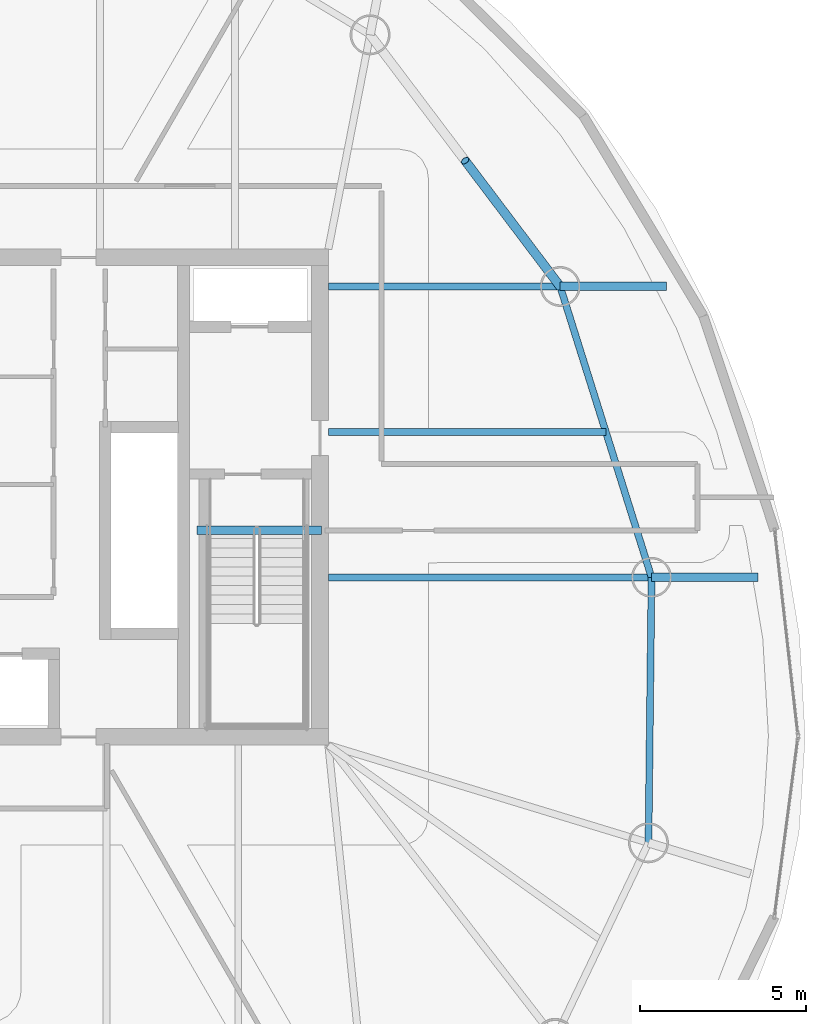
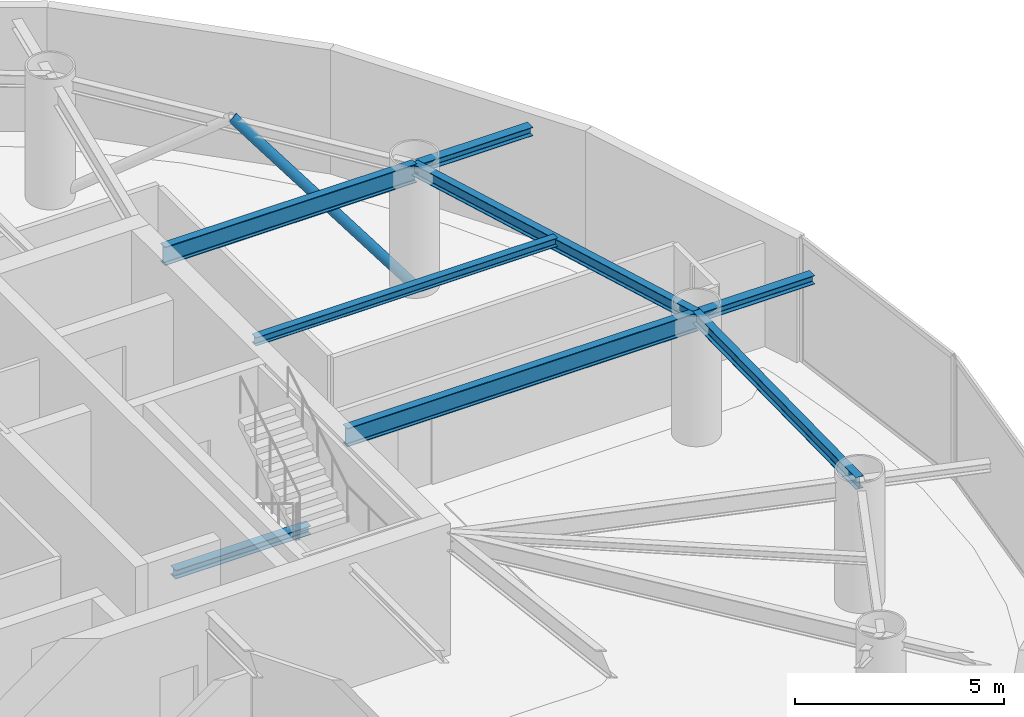
# One storey, part 8 of 20: 8 beams, 1 member.
"""IFC4 building model written with IfcOpenShell, lengths in metres."""

from ifc_helpers import new_model, si_unit, direction, frame, origin, origin_2d, place, context, subcontext, project, spatial, hollow_circle, i_section, extrude, material, material_profile, profile_set, type_object, element, save


model = new_model("IFC4")

# Units and contexts
model_context = context("Model", 3, precision=1e-05, world=origin(), true_north=direction((0.0, 1.0)))
body_context = subcontext(model_context, "Body", "Model", "MODEL_VIEW")
ifc_project = project(units=[si_unit("LENGTHUNIT", "METRE"), si_unit("AREAUNIT", "SQUARE_METRE"), si_unit("VOLUMEUNIT", "CUBIC_METRE"), si_unit("PLANEANGLEUNIT", "RADIAN"), si_unit("MASSUNIT", "GRAM", prefix="KILO")], contexts=[model_context])

# Site, building, storey
site_placement = place(None, origin())
site = spatial("IfcSite", under=ifc_project, at=site_placement, CompositionType="ELEMENT")
building_placement = place(site_placement, origin())
building = spatial("IfcBuilding", under=site, at=building_placement, Name="Bramvorn Convention Spire", CompositionType="ELEMENT")
storey_placement = place(building_placement, frame((0.0, 0.0, 178.89990234375)))
storey = spatial("IfcBuildingStorey", under=building, at=storey_placement, Name="L45", CompositionType="ELEMENT", Elevation=178.89990234375)

# Beams
ifc_material = material(Name="Steel CSA G40.21 Grade 350 (350W)", Category="steel")
ifc_material_profile_1 = material_profile(ifc_material, i_section(OverallWidth=0.201904296875, OverallDepth=0.2470703125, WebThickness=0.00732421875, FlangeThickness=0.010986328125, FilletRadius=0.011962890625, at=origin_2d()))
ifc_profile_set_1 = profile_set([ifc_material_profile_1], Name="Steel CSA G40.21 Grade 350 (350W) - W250X49")
beam_type_1 = type_object("IfcBeamType", Name="BM-W250X49", PredefinedType="JOIST", material=ifc_profile_set_1)
beam_1_placement = place(storey_placement, frame((49.25, 27.960205078125, 3.49658203125), z_axis=(1.0, 0.0, 0.0), x_axis=(0.0, 1.0, 0.0)))
element("IfcBeam", 1, at=beam_1_placement, inside=storey, type_object=beam_type_1, Name="L45 composite floor joist 03", PredefinedType="JOIST", context=body_context, shape_type="SweptSolid", body=[
    extrude(i_section(OverallWidth=0.201904296875, OverallDepth=0.2470703125, WebThickness=0.00732421875, FlangeThickness=0.010986328125, FilletRadius=0.011962890625, at=origin_2d()), origin(), (0.0, 0.0, 1.0), 8.33251953125),
])
ifc_material_profile_2 = material_profile(ifc_material, i_section(OverallWidth=0.25390625, OverallDepth=0.2529296875, WebThickness=0.008544921875, FlangeThickness=0.01416015625, FilletRadius=0.011962890625, at=origin_2d()))
ifc_profile_set_2 = profile_set([ifc_material_profile_2], Name="Steel CSA G40.21 Grade 350 (350W) - W250X73")
beam_type_2 = type_object("IfcBeamType", Name="BM-W250X73", PredefinedType="BEAM", material=ifc_profile_set_2)
beam_2_placement = place(storey_placement, frame((58.95458984375, 23.593505859375, 3.45849609375), z_axis=(1.0, 0.0, 0.0), x_axis=(0.0, 1.0, 0.0)))
element("IfcBeam", 2, at=beam_2_placement, inside=storey, type_object=beam_type_2, Name="L45 slab-edge cantilever tip beam MC03", PredefinedType="BEAM", context=body_context, shape_type="SweptSolid", body=[
    extrude(i_section(OverallWidth=0.25390625, OverallDepth=0.2529296875, WebThickness=0.008544921875, FlangeThickness=0.01416015625, FilletRadius=0.011962890625, at=origin_2d()), origin(), (0.0, 0.0, 1.0), 3.2001953125),
])
beam_3_placement = place(storey_placement, frame((56.21044921875, 32.327392578125, 3.45849609375), z_axis=(1.0, 0.0, 0.0), x_axis=(0.0, 1.0, 0.0)))
element("IfcBeam", 3, at=beam_3_placement, inside=storey, type_object=beam_type_2, Name="L45 slab-edge cantilever tip beam MC04", PredefinedType="BEAM", context=body_context, shape_type="SweptSolid", body=[
    extrude(i_section(OverallWidth=0.25390625, OverallDepth=0.2529296875, WebThickness=0.008544921875, FlangeThickness=0.01416015625, FilletRadius=0.011962890625, at=origin_2d()), origin(), (0.0, 0.0, 1.0), 3.199951171875),
])
beam_4_placement = place(storey_placement, frame((45.31005859375, 25.010009765625, -0.12646484375), z_axis=(1.0, 0.0, 0.0), x_axis=(0.0, 1.0, 0.0)))
element("IfcBeam", 4, at=beam_4_placement, inside=storey, type_object=beam_type_2, Name="L45 ST2 stair arrival header beam", PredefinedType="BEAM", context=body_context, shape_type="SweptSolid", body=[
    extrude(i_section(OverallWidth=0.25390625, OverallDepth=0.2529296875, WebThickness=0.008544921875, FlangeThickness=0.01416015625, FilletRadius=0.011962890625, at=origin_2d()), origin(), (0.0, 0.0, 1.0), 3.739990234375),
])
ifc_material_profile_3 = material_profile(ifc_material, i_section(OverallWidth=0.205078125, OverallDepth=0.35400390625, WebThickness=0.009521484375, FlangeThickness=0.016845703125, FilletRadius=0.014892578125, at=origin_2d()))
ifc_profile_set_3 = profile_set([ifc_material_profile_3], Name="Steel CSA G40.21 Grade 350 (350W) - W360X79")
beam_type_3 = type_object("IfcBeamType", Name="BM-W360X79", PredefinedType="JOIST", material=ifc_profile_set_3)
beam_5_placement = place(storey_placement, frame((58.863037109375, 15.619384765625, 3.443115234375), z_axis=(0.011480475367, 0.999934097171, 0.0), x_axis=(-0.999934097171, 0.011480475367, 0.0)))
element("IfcBeam", 5, at=beam_5_placement, inside=storey, type_object=beam_type_3, Name="L45 mega-column ring beam 02", PredefinedType="JOIST", context=body_context, shape_type="SweptSolid", body=[
    extrude(i_section(OverallWidth=0.205078125, OverallDepth=0.35400390625, WebThickness=0.009521484375, FlangeThickness=0.016845703125, FilletRadius=0.014892578125, at=origin_2d()), origin(), (0.0, 0.0, 1.0), 7.974609375),
])
beam_6_placement = place(storey_placement, frame((58.95458984375, 23.593505859375, 3.443115234375), z_axis=(-0.299747542929, 0.954018558786, 0.0), x_axis=(-0.954018558786, -0.299747542929, 0.0)))
element("IfcBeam", 6, at=beam_6_placement, inside=storey, type_object=beam_type_3, Name="L45 mega-column ring beam 03", PredefinedType="JOIST", context=body_context, shape_type="SweptSolid", body=[
    extrude(i_section(OverallWidth=0.205078125, OverallDepth=0.35400390625, WebThickness=0.009521484375, FlangeThickness=0.016845703125, FilletRadius=0.014892578125, at=origin_2d()), origin(), (0.0, 0.0, 1.0), 9.15478515625),
])
ifc_material_profile_4 = material_profile(ifc_material, i_section(OverallWidth=0.2119140625, OverallDepth=0.5439453125, WebThickness=0.01318359375, FlangeThickness=0.021240234375, FilletRadius=0.01904296875, at=origin_2d()))
ifc_profile_set_4 = profile_set([ifc_material_profile_4], Name="Steel CSA G40.21 Grade 350 (350W) - W530X123")
beam_type_4 = type_object("IfcBeamType", Name="BM-W530X123", PredefinedType="BEAM", material=ifc_profile_set_4)
beam_7_placement = place(storey_placement, frame((49.25, 23.593505859375, 3.34814453125), z_axis=(1.0, 0.0, 0.0), x_axis=(0.0, 1.0, 0.0)))
element("IfcBeam", 7, at=beam_7_placement, inside=storey, type_object=beam_type_4, Name="L45 radial floor girder MC03", PredefinedType="BEAM", context=body_context, shape_type="SweptSolid", body=[
    extrude(i_section(OverallWidth=0.2119140625, OverallDepth=0.5439453125, WebThickness=0.01318359375, FlangeThickness=0.021240234375, FilletRadius=0.01904296875, at=origin_2d()), origin(), (0.0, 0.0, 1.0), 9.70458984375),
])
beam_8_placement = place(storey_placement, frame((49.25, 32.327392578125, 3.34814453125), z_axis=(1.0, 0.0, 0.0), x_axis=(0.0, 1.0, 0.0)))
element("IfcBeam", 8, at=beam_8_placement, inside=storey, type_object=beam_type_4, Name="L45 radial floor girder MC04", PredefinedType="BEAM", context=body_context, shape_type="SweptSolid", body=[
    extrude(i_section(OverallWidth=0.2119140625, OverallDepth=0.5439453125, WebThickness=0.01318359375, FlangeThickness=0.021240234375, FilletRadius=0.01904296875, at=origin_2d()), origin(), (0.0, 0.0, 1.0), 6.96044921875),
])

# Member
ifc_material_profile_5 = material_profile(ifc_material, hollow_circle(Radius=0.136474609375, WallThickness=0.0126953125, at=origin_2d()))
ifc_profile_set_5 = profile_set([ifc_material_profile_5], Name="Steel CSA G40.21 Grade 350 (350W) - CHS273X13")
member_type = type_object("IfcMemberType", Name="MBR-CHS273X13", PredefinedType="BRACE", material=ifc_profile_set_5)
member_placement = place(storey_placement, frame((56.21044921875, 32.327392578125, 0.0), z_axis=(-0.478834801206, 0.633941070316, 0.607318658137), x_axis=(-0.797953827999, -0.602718581414, 0.0)))
element("IfcMember", 9, at=member_placement, inside=storey, type_object=member_type, Name="L45 perimeter Gothic lancet brace 4A", PredefinedType="BRACE", context=body_context, shape_type="SweptSolid", body=[
    extrude(hollow_circle(Radius=0.136474609375, WallThickness=0.0126953125, at=origin_2d()), origin(), (0.0, 0.0, 1.0), 5.9609375),
])

save(model, "model.ifc")
